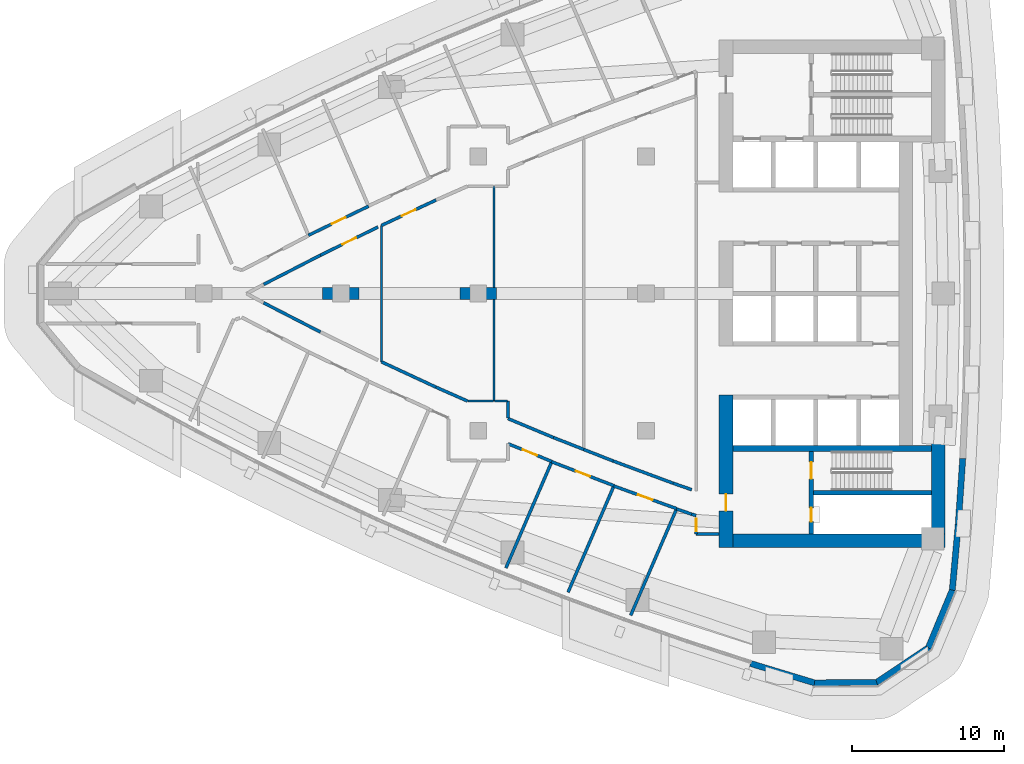
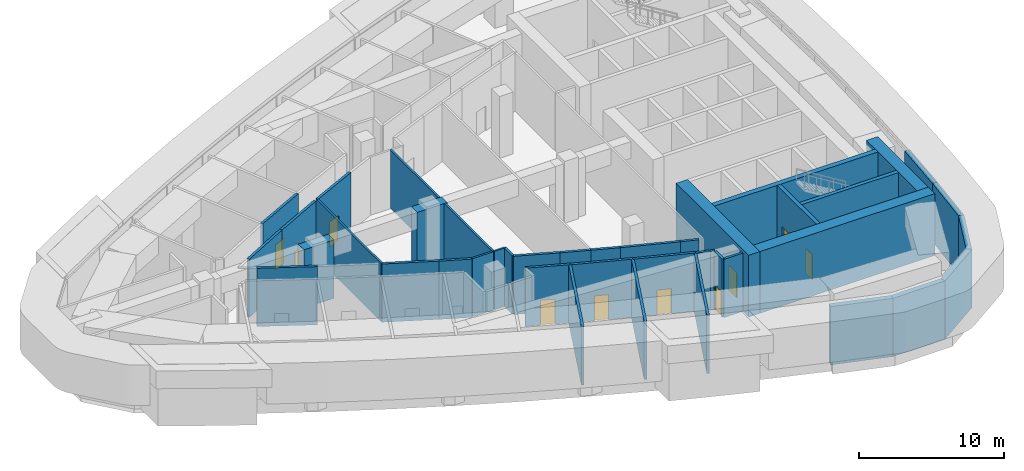
# One storey, part 11 of 18: 42 walls, 10 doors, 10 openings.
"""IFC4 building model written with IfcOpenShell, lengths in metres."""

from ifc_helpers import new_model, si_unit, direction, frame, frame_2d, origin, place, context, subcontext, project, spatial, polyline, rectangle, outline, extrude, material, layer, layer_set, type_object, element, fill, save


model = new_model("IFC4")

# Units and contexts
model_context = context("Model", 3, precision=1e-05, world=origin(), true_north=direction((0.0, 1.0)))
body_context = subcontext(model_context, "Body", "Model", "MODEL_VIEW")
ifc_project = project(units=[si_unit("LENGTHUNIT", "METRE"), si_unit("AREAUNIT", "SQUARE_METRE"), si_unit("VOLUMEUNIT", "CUBIC_METRE"), si_unit("PLANEANGLEUNIT", "RADIAN"), si_unit("MASSUNIT", "GRAM", prefix="KILO")], contexts=[model_context])

# Site, building, storey
site_placement = place(None, origin())
site = spatial("IfcSite", under=ifc_project, at=site_placement, CompositionType="ELEMENT")
building_placement = place(site_placement, origin())
building = spatial("IfcBuilding", under=site, at=building_placement, Name="Ostrand Prow Hotel Tower", CompositionType="ELEMENT")
storey_placement = place(building_placement, frame((0.0, 0.0, 165.699951171875)))
storey = spatial("IfcBuildingStorey", under=building, at=storey_placement, Name="L41", CompositionType="ELEMENT", Elevation=165.699951171875)

# Wall, openings, doors
ifc_material_1 = material(Name="Concrete C70/85", Category="concrete")
ifc_layer_1 = layer(ifc_material_1, 0.300048828125)
ifc_layer_set_1 = layer_set([ifc_layer_1], Name="Concrete C70/85")
wall_type_1 = type_object("IfcWallType", Name="Core wall 300 C70/85", PredefinedType="SHEAR", material=ifc_layer_set_1)
wall_1_placement = place(storey_placement, frame((55.85009765625, -15.75, 0.0), z_axis=(0.0, 0.0, 1.0), x_axis=(0.0, 1.0, 0.0)))
wall_1 = element("IfcWall", 1, at=wall_1_placement, inside=storey, type_object=wall_type_1, Name="Core wall PW-VS", PredefinedType="SHEAR", context=body_context, shape_type="SweptSolid", body=[
    extrude(rectangle(XDim=5.39990234375, YDim=0.300048828125, at=frame_2d((2.699951171875, 0.0))), origin(), (0.0, 0.0, 1.0), 5.199951171875),
])
opening_1_placement = place(wall_1_placement, frame((3.60009765625, 0.0, 0.0)))
opening_1 = element("IfcOpeningElement", 2, at=opening_1_placement, cuts=wall_1, Name="Opening FD1", PredefinedType="OPENING", context=body_context, shape_type="SweptSolid", body=[
    extrude(rectangle(XDim=1.10009765625, YDim=2.10009765625, at=frame_2d((0.550048828125, 1.050048828125))), frame((0.0, 0.159912109375, 0.0), z_axis=(0.0, -1.0, 0.0), x_axis=(1.0, 0.0, 0.0)), (0.0, 0.0, 1.0), 0.320068359375),
])
opening_2_placement = place(wall_1_placement, frame((0.800048828125, 0.0, 0.0)))
opening_2 = element("IfcOpeningElement", 3, at=opening_2_placement, cuts=wall_1, Name="Opening FD2", PredefinedType="OPENING", context=body_context, shape_type="SweptSolid", body=[
    extrude(rectangle(XDim=0.89990234375, YDim=2.10009765625, at=frame_2d((0.449951171875, 1.050048828125))), frame((0.0, 0.159912109375, 0.0), z_axis=(0.0, -1.0, 0.0), x_axis=(1.0, 0.0, 0.0)), (0.0, 0.0, 1.0), 0.320068359375),
])
ifc_material_2 = material(Name="Steel fire door", Category="steel")
door_type_1 = type_object("IfcDoorType", Name="Fire door 1100 EI120", OperationType="SINGLE_SWING_RIGHT", PredefinedType="DOOR", material=ifc_material_2)
door_1_placement = place(opening_1_placement, origin())
door_1 = element("IfcDoor", 4, at=door_1_placement, inside=storey, type_object=door_type_1, Name="FIRE DOOR", OperationType="SINGLE_SWING_RIGHT", OverallHeight=2.10009765625, OverallWidth=1.10009765625, PredefinedType="DOOR", context=body_context, shape_type="SweptSolid", body=[
    extrude(rectangle(XDim=1.10009765625, YDim=2.10009765625, at=frame_2d((0.550048828125, 1.050048828125))), frame((0.0, 0.02490234375, 0.0), z_axis=(0.0, -1.0, 0.0), x_axis=(1.0, 0.0, 0.0)), (0.0, 0.0, 1.0), 0.050048828125),
])
fill(opening_1, door_1)
ifc_material_3 = material(Name="Steel fire door", Category="steel")
door_type_2 = type_object("IfcDoorType", Name="Fire door 900 EI120", OperationType="SINGLE_SWING_LEFT", PredefinedType="DOOR", material=ifc_material_3)
door_2_placement = place(opening_2_placement, origin())
door_2 = element("IfcDoor", 5, at=door_2_placement, inside=storey, type_object=door_type_2, Name="FIRE DOOR", OperationType="SINGLE_SWING_LEFT", OverallHeight=2.10009765625, OverallWidth=0.89990234375, PredefinedType="DOOR", context=body_context, shape_type="SweptSolid", body=[
    extrude(rectangle(XDim=0.89990234375, YDim=2.10009765625, at=frame_2d((0.449951171875, 1.050048828125))), frame((0.0, 0.02490234375, 0.0), z_axis=(0.0, -1.0, 0.0), x_axis=(1.0, 0.0, 0.0)), (0.0, 0.0, 1.0), 0.050048828125),
])
fill(opening_2, door_2)

# Walls
wall_2_placement = place(storey_placement, frame((56.0, -13.050048828125, 0.0), z_axis=(0.0, 0.0, 1.0), x_axis=(1.0, 0.0, 0.0)))
element("IfcWall", 6, at=wall_2_placement, inside=storey, type_object=wall_type_1, Name="Core wall PW-ST2R", PredefinedType="SHEAR", context=body_context, shape_type="SweptSolid", body=[
    extrude(rectangle(XDim=7.719970703125, YDim=0.300048828125, at=frame_2d((3.85986328125, 0.0))), origin(), (0.0, 0.0, 1.0), 5.199951171875),
])
ifc_material_4 = material(Name="Concrete C70/85", Category="concrete")
ifc_layer_2 = layer(ifc_material_4, 0.39990234375)
ifc_layer_set_2 = layer_set([ifc_layer_2], Name="Concrete C70/85")
wall_type_2 = type_object("IfcWallType", Name="Core wall 400 C70/85", PredefinedType="SHEAR", material=ifc_layer_set_2)
wall_3_placement = place(storey_placement, frame((50.699951171875, -10.14990234375, 0.0), z_axis=(0.0, 0.0, 1.0), x_axis=(1.0, 0.0, 0.0)))
element("IfcWall", 7, at=wall_3_placement, inside=storey, type_object=wall_type_2, Name="Core wall PW-BS", PredefinedType="SHEAR", context=body_context, shape_type="SweptSolid", body=[
    extrude(rectangle(XDim=13.02001953125, YDim=0.39990234375, at=frame_2d((6.510009765625, 0.0))), origin(), (0.0, 0.0, 1.0), 5.199951171875),
])

# Wall, opening, door
ifc_material_5 = material(Name="Concrete C70/85", Category="concrete")
ifc_layer_3 = layer(ifc_material_5, 0.89990234375)
ifc_layer_set_3 = layer_set([ifc_layer_3], Name="Concrete C70/85")
wall_type_3 = type_object("IfcWallType", Name="Core wall 900 C70/85", PredefinedType="SHEAR", material=ifc_layer_set_3)
wall_4_placement = place(storey_placement, frame((50.25, -16.64990234375, 0.0), z_axis=(0.0, 0.0, 1.0), x_axis=(0.0, 1.0, 0.0)))
wall_4 = element("IfcWall", 8, at=wall_4_placement, inside=storey, type_object=wall_type_3, Name="Core wall CW-W-S", PredefinedType="SHEAR", context=body_context, shape_type="SweptSolid", body=[
    extrude(rectangle(XDim=10.0, YDim=0.89990234375, at=frame_2d((5.0, 0.0))), origin(), (0.0, 0.0, 1.0), 5.199951171875),
])
opening_3_placement = place(wall_4_placement, frame((2.39990234375, 0.0, 0.0)))
opening_3 = element("IfcOpeningElement", 9, at=opening_3_placement, cuts=wall_4, Name="Opening FD1", PredefinedType="OPENING", context=body_context, shape_type="SweptSolid", body=[
    extrude(rectangle(XDim=1.10009765625, YDim=2.10009765625, at=frame_2d((0.550048828125, 1.050048828125))), frame((0.0, 0.4599609375, 0.0), z_axis=(0.0, -1.0, 0.0), x_axis=(1.0, 0.0, 0.0)), (0.0, 0.0, 1.0), 0.919921875),
])
door_3_placement = place(opening_3_placement, origin())
door_3 = element("IfcDoor", 10, at=door_3_placement, inside=storey, type_object=door_type_1, Name="FIRE DOOR", OperationType="SINGLE_SWING_RIGHT", OverallHeight=2.10009765625, OverallWidth=1.10009765625, PredefinedType="DOOR", context=body_context, shape_type="SweptSolid", body=[
    extrude(rectangle(XDim=1.10009765625, YDim=2.10009765625, at=frame_2d((0.550048828125, 1.050048828125))), frame((0.0, 0.02490234375, 0.0), z_axis=(0.0, -1.0, 0.0), x_axis=(1.0, 0.0, 0.0)), (0.0, 0.0, 1.0), 0.050048828125),
])
fill(opening_3, door_3)

# Walls
wall_5_placement = place(storey_placement, frame((50.699951171875, -16.199951171875, 0.0), z_axis=(0.0, 0.0, 1.0), x_axis=(1.0, 0.0, 0.0)))
element("IfcWall", 11, at=wall_5_placement, inside=storey, type_object=wall_type_3, Name="Core wall CW-S", PredefinedType="SHEAR", context=body_context, shape_type="SweptSolid", body=[
    extrude(rectangle(XDim=13.920166015625, YDim=0.89990234375, at=frame_2d((6.9599609375, 0.0))), origin(), (0.0, 0.0, 1.0), 5.199951171875),
])
wall_6_placement = place(storey_placement, frame((64.169921875, -15.75, 0.0), z_axis=(0.0, 0.0, 1.0), x_axis=(0.0, 1.0, 0.0)))
element("IfcWall", 12, at=wall_6_placement, inside=storey, type_object=wall_type_3, Name="Core wall CW-E-S", PredefinedType="SHEAR", context=body_context, shape_type="SweptSolid", body=[
    extrude(rectangle(XDim=7.00537109375, YDim=0.89990234375, at=frame_2d((3.502685546875, 0.0))), origin(), (0.0, 0.0, 1.0), 5.199951171875),
])
ifc_material_6 = material(Name="Concrete C70/85", Category="concrete")
ifc_layer_4 = layer(ifc_material_6, 0.800048828125)
ifc_layer_set_4 = layer_set([ifc_layer_4], Name="Concrete C70/85")
wall_type_4 = type_object("IfcWallType", Name="Outrigger wall 800 C70/85", PredefinedType="SHEAR", material=ifc_layer_set_4)
for number, where, z_axis, x_axis, name in (
    (13, (23.800048828125, 0.0, 0.0), (0.0, 0.0, 1.0), (1.0, 0.0, 0.0), "Outrigger wall A3"),
    (14, (32.800048828125, 0.0, 0.0), (0.0, 0.0, 1.0), (1.0, 0.0, 0.0), "Outrigger wall A4"),
):
    element("IfcWall", number, at=place(storey_placement, frame(where, z_axis=z_axis, x_axis=x_axis)), inside=storey, type_object=wall_type_4, Name=name, PredefinedType="SHEAR", context=body_context, shape_type="SweptSolid", body=[
        extrude(rectangle(XDim=2.39990234375, YDim=0.800048828125, at=frame_2d((1.199951171875, 0.0))), origin(), (0.0, 0.0, 1.0), 4.900146484375),
    ])
ifc_material_7 = material(Name="Plasterboard partition")
ifc_layer_5 = layer(ifc_material_7, 0.14990234375)
ifc_layer_set_5 = layer_set([ifc_layer_5], Name="Plasterboard partition")
wall_type_5 = type_object("IfcWallType", Name="Partition 150 room partition", PredefinedType="PARTITIONING", material=ifc_layer_set_5)
wall_7_placement = place(storey_placement, frame((27.659912109375, -4.474853515625, 0.0), z_axis=(0.0, 0.0, 1.0), x_axis=(0.0, 1.0, 0.0)))
element("IfcWall", 15, at=wall_7_placement, inside=storey, type_object=wall_type_5, Name="ROOM PARTITION", PredefinedType="PARTITIONING", context=body_context, shape_type="SweptSolid", body=[
    extrude(rectangle(XDim=8.94970703125, YDim=0.14990234375, at=frame_2d((4.474853515625, 0.0))), origin(), (0.0, 0.0, 1.0), 4.900146484375),
])
for number, where, z_axis, x_axis, name in (
    (16, (35.03125, -7.050048828125, 0.0), (0.0, 0.0, 1.0), (0.0, 1.0, 0.0), "ROOM PARTITION"),
    (17, (35.03125, 0.39990234375, 0.0), (0.0, 0.0, 1.0), (0.0, 1.0, 0.0), "ROOM PARTITION"),
):
    element("IfcWall", number, at=place(storey_placement, frame(where, z_axis=z_axis, x_axis=x_axis)), inside=storey, type_object=wall_type_5, Name=name, PredefinedType="PARTITIONING", context=body_context, shape_type="SweptSolid", body=[
        extrude(rectangle(XDim=6.650146484375, YDim=0.14990234375, at=frame_2d((3.3251953125, 0.0))), origin(), (0.0, 0.0, 1.0), 4.900146484375),
    ])
wall_8_placement = place(storey_placement, frame((34.9912109375, -7.044921875, 0.0), z_axis=(0.0, 0.0, 1.0), x_axis=(-1.0, 0.0, 0.0)))
element("IfcWall", 18, at=wall_8_placement, inside=storey, type_object=wall_type_5, Name="ROOM PARTITION", PredefinedType="PARTITIONING", context=body_context, shape_type="SweptSolid", body=[
    extrude(rectangle(XDim=1.643798828125, YDim=0.14990234375, at=frame_2d((0.82177734375, 0.0))), origin(), (0.0, 0.0, 1.0), 4.900146484375),
])
wall_9_placement = place(storey_placement, frame((35.913818359375, -7.046630859375, 0.0), z_axis=(0.0, 0.0, 1.0), x_axis=(-0.999998488592, 0.001738623857, 0.0)))
element("IfcWall", 19, at=wall_9_placement, inside=storey, type_object=wall_type_5, Name="ROOM PARTITION", PredefinedType="PARTITIONING", context=body_context, shape_type="SweptSolid", body=[
    extrude(rectangle(XDim=0.842529296875, YDim=0.14990234375, at=frame_2d((0.42138671875, 0.0))), origin(), (0.0, 0.0, 1.0), 4.900146484375),
])

# Wall, opening, door
ifc_material_8 = material(Name="Plasterboard partition")
ifc_layer_6 = layer(ifc_material_8, 0.199951171875)
ifc_layer_set_6 = layer_set([ifc_layer_6], Name="Plasterboard partition")
wall_type_6 = type_object("IfcWallType", Name="Partition 200 corridor wall", PredefinedType="PARTITIONING", material=ifc_layer_set_6)
wall_10_placement = place(storey_placement, frame((22.87109375, 3.826171875, 0.0), z_axis=(0.0, 0.0, 1.0), x_axis=(0.899988502444, 0.435913633038, 0.0)))
wall_10 = element("IfcWall", 20, at=wall_10_placement, inside=storey, type_object=wall_type_6, Name="CORRIDOR WALL", PredefinedType="PARTITIONING", context=body_context, shape_type="SweptSolid", body=[
    extrude(rectangle(XDim=4.3779296875, YDim=0.199951171875, at=frame_2d((2.18896484375, 0.0))), origin(), (0.0, 0.0, 1.0), 4.900146484375),
])
opening_4_placement = place(wall_10_placement, frame((1.68896484375, 0.0, 0.0)))
opening_4 = element("IfcOpeningElement", 21, at=opening_4_placement, cuts=wall_10, Name="Opening D1R", PredefinedType="OPENING", context=body_context, shape_type="SweptSolid", body=[
    extrude(rectangle(XDim=1.0, YDim=2.10009765625, at=frame_2d((0.5, 1.050048828125))), frame((0.0, 0.10986328125, 0.0), z_axis=(0.0, -1.0, 0.0), x_axis=(1.0, 0.0, 0.0)), (0.0, 0.0, 1.0), 0.219970703125),
])
ifc_material_9 = material(Name="Timber door leaf", Category="wood")
door_type_3 = type_object("IfcDoorType", Name="Guest room door 1000 right", OperationType="SINGLE_SWING_RIGHT", PredefinedType="DOOR", material=ifc_material_9)
door_4_placement = place(opening_4_placement, origin())
door_4 = element("IfcDoor", 22, at=door_4_placement, inside=storey, type_object=door_type_3, Name="DOOR", OperationType="SINGLE_SWING_RIGHT", OverallHeight=2.10009765625, OverallWidth=1.0, PredefinedType="DOOR", context=body_context, shape_type="SweptSolid", body=[
    extrude(rectangle(XDim=1.0, YDim=2.10009765625, at=frame_2d((0.5, 1.050048828125))), frame((0.0, 0.02490234375, 0.0), z_axis=(0.0, -1.0, 0.0), x_axis=(1.0, 0.0, 0.0)), (0.0, 0.0, 1.0), 0.050048828125),
])
fill(opening_4, door_4)

wall_11_placement = place(storey_placement, frame((35.949951171875, -9.840087890625, 0.0), z_axis=(0.0, 0.0, 1.0), x_axis=(0.926663171188, -0.375892760191, 0.0)))
wall_11 = element("IfcWall", 23, at=wall_11_placement, inside=storey, type_object=wall_type_6, Name="CORRIDOR WALL", PredefinedType="PARTITIONING", context=body_context, shape_type="SweptSolid", body=[
    extrude(rectangle(XDim=3.1103515625, YDim=0.199951171875, at=frame_2d((1.55517578125, 0.0))), origin(), (0.0, 0.0, 1.0), 4.900146484375),
])
opening_5_placement = place(wall_11_placement, frame((1.05517578125, 0.0, 0.0)))
opening_5 = element("IfcOpeningElement", 24, at=opening_5_placement, cuts=wall_11, Name="Opening D1", PredefinedType="OPENING", context=body_context, shape_type="SweptSolid", body=[
    extrude(rectangle(XDim=1.0, YDim=2.10009765625, at=frame_2d((0.5, 1.050048828125))), frame((0.0, 0.10986328125, 0.0), z_axis=(0.0, -1.0, 0.0), x_axis=(1.0, 0.0, 0.0)), (0.0, 0.0, 1.0), 0.219970703125),
])
ifc_material_10 = material(Name="Timber door leaf", Category="wood")
door_type_4 = type_object("IfcDoorType", Name="Guest room door 1000", OperationType="SINGLE_SWING_LEFT", PredefinedType="DOOR", material=ifc_material_10)
door_5_placement = place(opening_5_placement, origin())
door_5 = element("IfcDoor", 25, at=door_5_placement, inside=storey, type_object=door_type_4, Name="DOOR", OperationType="SINGLE_SWING_LEFT", OverallHeight=2.10009765625, OverallWidth=1.0, PredefinedType="DOOR", context=body_context, shape_type="SweptSolid", body=[
    extrude(rectangle(XDim=1.0, YDim=2.10009765625, at=frame_2d((0.5, 1.050048828125))), frame((0.0, 0.02490234375, 0.0), z_axis=(0.0, -1.0, 0.0), x_axis=(1.0, 0.0, 0.0)), (0.0, 0.0, 1.0), 0.050048828125),
])
fill(opening_5, door_5)

wall_12_placement = place(storey_placement, frame((38.824462890625, -11.027587890625, 0.0), z_axis=(0.0, 0.0, 1.0), x_axis=(0.933279441896, -0.359151059215, 0.0)))
wall_12 = element("IfcWall", 26, at=wall_12_placement, inside=storey, type_object=wall_type_6, Name="CORRIDOR WALL", PredefinedType="PARTITIONING", context=body_context, shape_type="SweptSolid", body=[
    extrude(rectangle(XDim=4.375732421875, YDim=0.199951171875, at=frame_2d((2.18798828125, 0.0))), origin(), (0.0, 0.0, 1.0), 4.900146484375),
])
opening_6_placement = place(wall_12_placement, frame((1.68798828125, 0.0, 0.0)))
opening_6 = element("IfcOpeningElement", 27, at=opening_6_placement, cuts=wall_12, Name="Opening D1R", PredefinedType="OPENING", context=body_context, shape_type="SweptSolid", body=[
    extrude(rectangle(XDim=1.0, YDim=2.10009765625, at=frame_2d((0.5, 1.050048828125))), frame((0.0, 0.10986328125, 0.0), z_axis=(0.0, -1.0, 0.0), x_axis=(1.0, 0.0, 0.0)), (0.0, 0.0, 1.0), 0.219970703125),
])
door_6_placement = place(opening_6_placement, origin())
door_6 = element("IfcDoor", 28, at=door_6_placement, inside=storey, type_object=door_type_3, Name="DOOR", OperationType="SINGLE_SWING_RIGHT", OverallHeight=2.10009765625, OverallWidth=1.0, PredefinedType="DOOR", context=body_context, shape_type="SweptSolid", body=[
    extrude(rectangle(XDim=1.0, YDim=2.10009765625, at=frame_2d((0.5, 1.050048828125))), frame((0.0, 0.02490234375, 0.0), z_axis=(0.0, -1.0, 0.0), x_axis=(1.0, 0.0, 0.0)), (0.0, 0.0, 1.0), 0.050048828125),
])
fill(opening_6, door_6)

wall_13_placement = place(storey_placement, frame((42.900390625, -12.617431640625, 0.0), z_axis=(0.0, 0.0, 1.0), x_axis=(0.940555877924, -0.339638985546, 0.0)))
wall_13 = element("IfcWall", 29, at=wall_13_placement, inside=storey, type_object=wall_type_6, Name="CORRIDOR WALL", PredefinedType="PARTITIONING", context=body_context, shape_type="SweptSolid", body=[
    extrude(rectangle(XDim=4.380615234375, YDim=0.199951171875, at=frame_2d((2.1904296875, 0.0))), origin(), (0.0, 0.0, 1.0), 4.900146484375),
])
opening_7_placement = place(wall_13_placement, frame((1.690185546875, 0.0, 0.0)))
opening_7 = element("IfcOpeningElement", 30, at=opening_7_placement, cuts=wall_13, Name="Opening D1", PredefinedType="OPENING", context=body_context, shape_type="SweptSolid", body=[
    extrude(rectangle(XDim=1.0, YDim=2.10009765625, at=frame_2d((0.5, 1.050048828125))), frame((0.0, 0.10986328125, 0.0), z_axis=(0.0, -1.0, 0.0), x_axis=(1.0, 0.0, 0.0)), (0.0, 0.0, 1.0), 0.219970703125),
])
door_7_placement = place(opening_7_placement, origin())
door_7 = element("IfcDoor", 31, at=door_7_placement, inside=storey, type_object=door_type_4, Name="DOOR", OperationType="SINGLE_SWING_LEFT", OverallHeight=2.10009765625, OverallWidth=1.0, PredefinedType="DOOR", context=body_context, shape_type="SweptSolid", body=[
    extrude(rectangle(XDim=1.0, YDim=2.10009765625, at=frame_2d((0.5, 1.050048828125))), frame((0.0, 0.02490234375, 0.0), z_axis=(0.0, -1.0, 0.0), x_axis=(1.0, 0.0, 0.0)), (0.0, 0.0, 1.0), 0.050048828125),
])
fill(opening_7, door_7)

wall_14_placement = place(storey_placement, frame((23.65869140625, 2.52197265625, 0.0), z_axis=(0.0, 0.0, 1.0), x_axis=(0.898143384422, 0.43970269617, 0.0)))
wall_14 = element("IfcWall", 32, at=wall_14_placement, inside=storey, type_object=wall_type_6, Name="CORRIDOR WALL", PredefinedType="PARTITIONING", context=body_context, shape_type="SweptSolid", body=[
    extrude(rectangle(XDim=4.1953125, YDim=0.199951171875, at=frame_2d((2.09765625, 0.0))), origin(), (0.0, 0.0, 1.0), 4.900146484375),
])
opening_8_placement = place(wall_14_placement, frame((1.59765625, 0.0, 0.0)))
opening_8 = element("IfcOpeningElement", 33, at=opening_8_placement, cuts=wall_14, Name="Opening D1", PredefinedType="OPENING", context=body_context, shape_type="SweptSolid", body=[
    extrude(rectangle(XDim=1.0, YDim=2.10009765625, at=frame_2d((0.5, 1.050048828125))), frame((0.0, 0.10986328125, 0.0), z_axis=(0.0, -1.0, 0.0), x_axis=(1.0, 0.0, 0.0)), (0.0, 0.0, 1.0), 0.219970703125),
])
door_8_placement = place(opening_8_placement, origin())
door_8 = element("IfcDoor", 34, at=door_8_placement, inside=storey, type_object=door_type_4, Name="DOOR", OperationType="SINGLE_SWING_LEFT", OverallHeight=2.10009765625, OverallWidth=1.0, PredefinedType="DOOR", context=body_context, shape_type="SweptSolid", body=[
    extrude(rectangle(XDim=1.0, YDim=2.10009765625, at=frame_2d((0.5, 1.050048828125))), frame((0.0, 0.02490234375, 0.0), z_axis=(0.0, -1.0, 0.0), x_axis=(1.0, 0.0, 0.0)), (0.0, 0.0, 1.0), 0.050048828125),
])
fill(opening_8, door_8)

# Walls
for number, where, z_axis, x_axis, name in (
    (35, (23.65869140625, -2.52197265625, 0.0), (0.0, 0.0, 1.0), (-0.889140337289, 0.457634636589, 0.0), "CORRIDOR WALL"),
    (36, (19.928466796875, 0.60205078125, 0.0), (0.0, 0.0, 1.0), (0.889140337289, 0.457634636589, 0.0), "CORRIDOR WALL"),
):
    element("IfcWall", number, at=place(storey_placement, frame(where, z_axis=z_axis, x_axis=x_axis)), inside=storey, type_object=wall_type_6, Name=name, PredefinedType="PARTITIONING", context=body_context, shape_type="SweptSolid", body=[
        extrude(rectangle(XDim=4.1953125, YDim=0.199951171875, at=frame_2d((2.09765625, 0.0))), origin(), (0.0, 0.0, 1.0), 4.900146484375),
    ])

# Wall, opening, door
wall_15_placement = place(storey_placement, frame((27.659912109375, 4.474853515625, 0.0), z_axis=(0.0, 0.0, 1.0), x_axis=(0.906809296718, 0.42154110047, 0.0)))
wall_15 = element("IfcWall", 37, at=wall_15_placement, inside=storey, type_object=wall_type_6, Name="CORRIDOR WALL", PredefinedType="PARTITIONING", context=body_context, shape_type="SweptSolid", body=[
    extrude(rectangle(XDim=3.938232421875, YDim=0.199951171875, at=frame_2d((1.96923828125, 0.0))), origin(), (0.0, 0.0, 1.0), 4.900146484375),
])
opening_9_placement = place(wall_15_placement, frame((1.46923828125, 0.0, 0.0)))
opening_9 = element("IfcOpeningElement", 38, at=opening_9_placement, cuts=wall_15, Name="Opening D1R", PredefinedType="OPENING", context=body_context, shape_type="SweptSolid", body=[
    extrude(rectangle(XDim=1.0, YDim=2.10009765625, at=frame_2d((0.5, 1.050048828125))), frame((0.0, 0.10986328125, 0.0), z_axis=(0.0, -1.0, 0.0), x_axis=(1.0, 0.0, 0.0)), (0.0, 0.0, 1.0), 0.219970703125),
])
door_9_placement = place(opening_9_placement, origin())
door_9 = element("IfcDoor", 39, at=door_9_placement, inside=storey, type_object=door_type_3, Name="DOOR", OperationType="SINGLE_SWING_RIGHT", OverallHeight=2.10009765625, OverallWidth=1.0, PredefinedType="DOOR", context=body_context, shape_type="SweptSolid", body=[
    extrude(rectangle(XDim=1.0, YDim=2.10009765625, at=frame_2d((0.5, 1.050048828125))), frame((0.0, 0.02490234375, 0.0), z_axis=(0.0, -1.0, 0.0), x_axis=(1.0, 0.0, 0.0)), (0.0, 0.0, 1.0), 0.050048828125),
])
fill(opening_9, door_9)

# Walls
wall_16_placement = place(storey_placement, frame((33.307861328125, -7.050048828125, 0.0), z_axis=(0.0, 0.0, 1.0), x_axis=(-0.915102334452, 0.403221672881, 0.0)))
element("IfcWall", 40, at=wall_16_placement, inside=storey, type_object=wall_type_6, Name="CORRIDOR WALL", PredefinedType="PARTITIONING", context=body_context, shape_type="SweptSolid", body=[
    extrude(rectangle(XDim=2.269287109375, YDim=0.199951171875, at=frame_2d((1.134765625, 0.0))), origin(), (0.0, 0.0, 1.0), 4.900146484375),
])
wall_17_placement = place(storey_placement, frame((31.231201171875, -6.135009765625, 0.0), z_axis=(0.0, 0.0, 1.0), x_axis=(-0.906809296718, 0.42154110047, 0.0)))
element("IfcWall", 41, at=wall_17_placement, inside=storey, type_object=wall_type_6, Name="CORRIDOR WALL", PredefinedType="PARTITIONING", context=body_context, shape_type="SweptSolid", body=[
    extrude(rectangle(XDim=3.938232421875, YDim=0.199951171875, at=frame_2d((1.96923828125, 0.0))), origin(), (0.0, 0.0, 1.0), 4.900146484375),
])
wall_18_placement = place(storey_placement, frame((40.928466796875, -10.221923828125, 0.0), z_axis=(0.0, 0.0, 1.0), x_axis=(-0.93058448592, 0.366077197548, 0.0)))
element("IfcWall", 42, at=wall_18_placement, inside=storey, type_object=wall_type_6, Name="CORRIDOR WALL", PredefinedType="PARTITIONING", context=body_context, shape_type="SweptSolid", body=[
    extrude(rectangle(XDim=2.133544921875, YDim=0.199951171875, at=frame_2d((1.06689453125, 0.0))), origin(), (0.0, 0.0, 1.0), 4.900146484375),
])
wall_19_placement = place(storey_placement, frame((38.943115234375, -9.44091796875, 0.0), z_axis=(0.0, 0.0, 1.0), x_axis=(-0.923005630596, 0.384786441923, 0.0)))
element("IfcWall", 43, at=wall_19_placement, inside=storey, type_object=wall_type_6, Name="CORRIDOR WALL", PredefinedType="PARTITIONING", context=body_context, shape_type="SweptSolid", body=[
    extrude(rectangle(XDim=3.242919921875, YDim=0.199951171875, at=frame_2d((1.62158203125, 0.0))), origin(), (0.0, 0.0, 1.0), 4.900146484375),
])
wall_20_placement = place(storey_placement, frame((46.78125, -12.43408203125, 0.0), z_axis=(0.0, 0.0, 1.0), x_axis=(-0.937732614305, 0.347357948044, 0.0)))
element("IfcWall", 44, at=wall_20_placement, inside=storey, type_object=wall_type_6, Name="CORRIDOR WALL", PredefinedType="PARTITIONING", context=body_context, shape_type="SweptSolid", body=[
    extrude(rectangle(XDim=4.1953125, YDim=0.199951171875, at=frame_2d((2.09765625, 0.0))), origin(), (0.0, 0.0, 1.0), 4.900146484375),
])
wall_21_placement = place(storey_placement, frame((42.84716796875, -10.976806640625, 0.0), z_axis=(0.0, 0.0, 1.0), x_axis=(-0.930568597047, 0.366117585198, 0.0)))
element("IfcWall", 45, at=wall_21_placement, inside=storey, type_object=wall_type_6, Name="CORRIDOR WALL", PredefinedType="PARTITIONING", context=body_context, shape_type="SweptSolid", body=[
    extrude(rectangle(XDim=2.061767578125, YDim=0.199951171875, at=frame_2d((1.03076171875, 0.0))), origin(), (0.0, 0.0, 1.0), 4.900146484375),
])
wall_22_placement = place(storey_placement, frame((47.012451171875, -14.123779296875, 0.0), z_axis=(0.0, 0.0, 1.0), x_axis=(0.944566081842, -0.32832136244, 0.0)))
element("IfcWall", 46, at=wall_22_placement, inside=storey, type_object=wall_type_6, Name="CORRIDOR WALL", PredefinedType="PARTITIONING", context=body_context, shape_type="SweptSolid", body=[
    extrude(rectangle(XDim=1.04541015625, YDim=0.199951171875, at=frame_2d((0.522705078125, 0.0))), origin(), (0.0, 0.0, 1.0), 4.900146484375),
])
wall_23_placement = place(storey_placement, frame((48.0, -12.85791015625, 0.0), z_axis=(0.0, 0.0, 1.0), x_axis=(-0.944517215109, 0.328461916152, 0.0)))
element("IfcWall", 47, at=wall_23_placement, inside=storey, type_object=wall_type_6, Name="CORRIDOR WALL", PredefinedType="PARTITIONING", context=body_context, shape_type="SweptSolid", body=[
    extrude(rectangle(XDim=1.290283203125, YDim=0.199951171875, at=frame_2d((0.64501953125, 0.0))), origin(), (0.0, 0.0, 1.0), 4.900146484375),
])
wall_24_placement = place(storey_placement, frame((35.955078125, -8.153564453125, 0.0), z_axis=(0.0, 0.0, 1.0), x_axis=(-0.00110302161, 0.999999391671, 0.0)))
element("IfcWall", 48, at=wall_24_placement, inside=storey, type_object=wall_type_6, Name="CORRIDOR WALL", PredefinedType="PARTITIONING", context=body_context, shape_type="SweptSolid", body=[
    extrude(rectangle(XDim=1.106689453125, YDim=0.199951171875, at=frame_2d((0.55322265625, 0.0))), origin(), (0.0, 0.0, 1.0), 4.900146484375),
])
wall_25_placement = place(storey_placement, frame((48.0, -14.467041015625, 0.0), z_axis=(0.0, 0.0, 1.0), x_axis=(0.959415658226, -0.281995735341, 0.0)))
element("IfcWall", 49, at=wall_25_placement, inside=storey, type_object=wall_type_6, Name="CORRIDOR WALL", PredefinedType="PARTITIONING", context=body_context, shape_type="SweptSolid", body=[
    extrude(rectangle(XDim=0.31005859375, YDim=0.199951171875, at=frame_2d((0.155029296875, 0.0))), origin(), (0.0, 0.0, 1.0), 4.900146484375),
])

# Wall, opening, door
wall_26_placement = place(storey_placement, frame((48.295166015625, -14.673583984375, 0.0), z_axis=(0.0, 0.0, 1.0), x_axis=(0.001807498177, -0.999998366474, 0.0)))
wall_26 = element("IfcWall", 50, at=wall_26_placement, inside=storey, type_object=wall_type_6, Name="CORRIDOR WALL", PredefinedType="PARTITIONING", context=body_context, shape_type="SweptSolid", body=[
    extrude(rectangle(XDim=1.08056640625, YDim=0.199951171875, at=frame_2d((0.540283203125, 0.0))), origin(), (0.0, 0.0, 1.0), 4.900146484375),
])
opening_10_placement = place(wall_26_placement, frame((0.10009765625, 0.0, 0.0)))
opening_10 = element("IfcOpeningElement", 51, at=opening_10_placement, cuts=wall_26, Name="Opening D8R", PredefinedType="OPENING", context=body_context, shape_type="SweptSolid", body=[
    extrude(rectangle(XDim=0.800048828125, YDim=2.10009765625, at=frame_2d((0.39990234375, 1.050048828125))), frame((0.0, 0.10986328125, 0.0), z_axis=(0.0, -1.0, 0.0), x_axis=(1.0, 0.0, 0.0)), (0.0, 0.0, 1.0), 0.219970703125),
])
ifc_material_11 = material(Name="Timber door leaf", Category="wood")
door_type_5 = type_object("IfcDoorType", Name="Service door 800 right", OperationType="SINGLE_SWING_RIGHT", PredefinedType="DOOR", material=ifc_material_11)
door_10_placement = place(opening_10_placement, origin())
door_10 = element("IfcDoor", 52, at=door_10_placement, inside=storey, type_object=door_type_5, Name="DOOR", OperationType="SINGLE_SWING_RIGHT", OverallHeight=2.10009765625, OverallWidth=0.800048828125, PredefinedType="DOOR", context=body_context, shape_type="SweptSolid", body=[
    extrude(rectangle(XDim=0.800048828125, YDim=2.10009765625, at=frame_2d((0.39990234375, 1.050048828125))), frame((0.0, 0.02490234375, 0.0), z_axis=(0.0, -1.0, 0.0), x_axis=(1.0, 0.0, 0.0)), (0.0, 0.0, 1.0), 0.050048828125),
])
fill(opening_10, door_10)

# Walls
wall_27_placement = place(storey_placement, frame((48.297119140625, -15.754150390625, 0.0), z_axis=(0.0, 0.0, 1.0), x_axis=(0.999999881255, -0.000487329377, 0.0)))
element("IfcWall", 53, at=wall_27_placement, inside=storey, type_object=wall_type_6, Name="CORRIDOR WALL", PredefinedType="PARTITIONING", context=body_context, shape_type="SweptSolid", body=[
    extrude(rectangle(XDim=1.5029296875, YDim=0.199951171875, at=frame_2d((0.75146484375, 0.0))), origin(), (0.0, 0.0, 1.0), 4.900146484375),
])
ifc_material_12 = material(Name="Plasterboard partition")
ifc_layer_7 = layer(ifc_material_12, 0.199951171875)
ifc_layer_set_7 = layer_set([ifc_layer_7], Name="Plasterboard partition")
wall_type_7 = type_object("IfcWallType", Name="Partition 200 key partition", PredefinedType="PARTITIONING", material=ifc_layer_set_7)
wall_28_placement = place(storey_placement, frame((35.8212890625, -17.991455078125, 0.0), z_axis=(0.0, 0.0, 1.0), x_axis=(0.395987603644, 0.918255856371, 0.0)))
element("IfcWall", 54, at=wall_28_placement, inside=storey, type_object=wall_type_7, Name="KEY PARTITION", PredefinedType="PARTITIONING", context=body_context, shape_type="SweptSolid", body=[
    extrude(rectangle(XDim=7.603759765625, YDim=0.199951171875, at=frame_2d((3.8017578125, 0.0))), origin(), (0.0, 0.0, 1.0), 4.900146484375),
])
wall_29_placement = place(storey_placement, frame((39.89453125, -19.58740234375, 0.0), z_axis=(0.0, 0.0, 1.0), x_axis=(0.395993528256, 0.918253301426, 0.0)))
element("IfcWall", 55, at=wall_29_placement, inside=storey, type_object=wall_type_7, Name="KEY PARTITION", PredefinedType="PARTITIONING", context=body_context, shape_type="SweptSolid", body=[
    extrude(rectangle(XDim=7.6103515625, YDim=0.199951171875, at=frame_2d((3.80517578125, 0.0))), origin(), (0.0, 0.0, 1.0), 4.900146484375),
])
wall_30_placement = place(storey_placement, frame((44.0029296875, -21.102294921875, 0.0), z_axis=(0.0, 0.0, 1.0), x_axis=(0.39600636385, 0.918247766014, 0.0)))
element("IfcWall", 56, at=wall_30_placement, inside=storey, type_object=wall_type_7, Name="KEY PARTITION", PredefinedType="PARTITIONING", context=body_context, shape_type="SweptSolid", body=[
    extrude(rectangle(XDim=7.6201171875, YDim=0.199951171875, at=frame_2d((3.81005859375, 0.0))), origin(), (0.0, 0.0, 1.0), 4.900146484375),
])
ifc_material_13 = material(Name="Precast concrete C40/50", Category="concrete")
ifc_layer_8 = layer(ifc_material_13, 0.39990234375)
ifc_layer_set_8 = layer_set([ifc_layer_8], Name="Precast concrete C40/50")
wall_type_8 = type_object("IfcWallType", Name="Stone-faced precast wall 400 mm", PredefinedType="NOTDEFINED", material=ifc_layer_set_8)
wall_31_placement = place(storey_placement, frame((51.85888671875, -24.257080078125, 0.0), z_axis=(0.0, 0.0, 1.0), x_axis=(0.956964488344, -0.290205044837, 0.0)))
element("IfcWall", 57, at=wall_31_placement, inside=storey, type_object=wall_type_8, Name="Stone-faced wall back 1", PredefinedType="NOTDEFINED", context=body_context, shape_type="SweptSolid", body=[
    extrude(outline(polyline([(0.0, -0.199951171875), (4.41845703125, -0.199951171875), (4.357421875, 0.199951171875), (0.0, 0.199951171875), (0.0, -0.199951171875)])), origin(), (0.0, 0.0, 1.0), 4.900146484375),
])
wall_32_placement = place(storey_placement, frame((56.05810546875, -25.530517578125, 0.0), z_axis=(0.0, 0.0, 1.0), x_axis=(0.99996933771, 0.007830941131, 0.0)))
element("IfcWall", 58, at=wall_32_placement, inside=storey, type_object=wall_type_8, Name="Stone-faced wall back 2", PredefinedType="NOTDEFINED", context=body_context, shape_type="SweptSolid", body=[
    extrude(outline(polyline([(-0.030517578125, -0.199951171875), (4.14453125, -0.199951171875), (4.02392578125, 0.199951171875), (0.030517578125, 0.199951171875), (-0.030517578125, -0.199951171875)])), origin(), (0.0, 0.0, 1.0), 4.900146484375),
])
wall_33_placement = place(storey_placement, frame((60.14208984375, -25.49853515625, 0.0), z_axis=(0.0, 0.0, 1.0), x_axis=(0.829642062482, 0.558295663749, 0.0)))
element("IfcWall", 59, at=wall_33_placement, inside=storey, type_object=wall_type_8, Name="Stone-faced wall back 3", PredefinedType="NOTDEFINED", context=body_context, shape_type="SweptSolid", body=[
    extrude(outline(polyline([(-0.060302734375, -0.199951171875), (4.144287109375, -0.199951171875), (4.023681640625, 0.199951171875), (0.060302734375, 0.199951171875), (-0.060302734375, -0.199951171875)])), origin(), (0.0, 0.0, 1.0), 4.900146484375),
])
wall_34_placement = place(storey_placement, frame((63.5302734375, -23.218505859375, 0.0), z_axis=(0.0, 0.0, 1.0), x_axis=(0.383817293519, 0.923409056267, 0.0)))
element("IfcWall", 60, at=wall_34_placement, inside=storey, type_object=wall_type_8, Name="Stone-faced wall back 4", PredefinedType="NOTDEFINED", context=body_context, shape_type="SweptSolid", body=[
    extrude(outline(polyline([(-0.060302734375, -0.199951171875), (4.11474609375, -0.199951171875), (4.0537109375, 0.199951171875), (0.060302734375, 0.199951171875), (-0.060302734375, -0.199951171875)])), origin(), (0.0, 0.0, 1.0), 4.900146484375),
])
wall_35_placement = place(storey_placement, frame((65.097900390625, -19.447021484375, 0.0), z_axis=(0.0, 0.0, 1.0), x_axis=(0.090296735989, 0.995914905737, 0.0)))
element("IfcWall", 61, at=wall_35_placement, inside=storey, type_object=wall_type_8, Name="Stone-faced wall back 5", PredefinedType="NOTDEFINED", context=body_context, shape_type="SweptSolid", body=[
    extrude(outline(polyline([(-0.030517578125, -0.199951171875), (4.330810546875, -0.199951171875), (4.326416015625, 0.199951171875), (0.030517578125, 0.199951171875), (-0.030517578125, -0.199951171875)])), origin(), (0.0, 0.0, 1.0), 4.900146484375),
])
wall_36_placement = place(storey_placement, frame((65.48876953125, -15.135986328125, 0.0), z_axis=(0.0, 0.0, 1.0), x_axis=(0.067731727279, 0.997703569764, 0.0)))
element("IfcWall", 62, at=wall_36_placement, inside=storey, type_object=wall_type_8, Name="Stone-faced wall back 6", PredefinedType="NOTDEFINED", context=body_context, shape_type="SweptSolid", body=[
    extrude(outline(polyline([(-0.002197265625, -0.199951171875), (4.331298828125, -0.199951171875), (4.326904296875, 0.199951171875), (0.002197265625, 0.199951171875), (-0.002197265625, -0.199951171875)])), origin(), (0.0, 0.0, 1.0), 4.900146484375),
])

save(model, "model.ifc")
